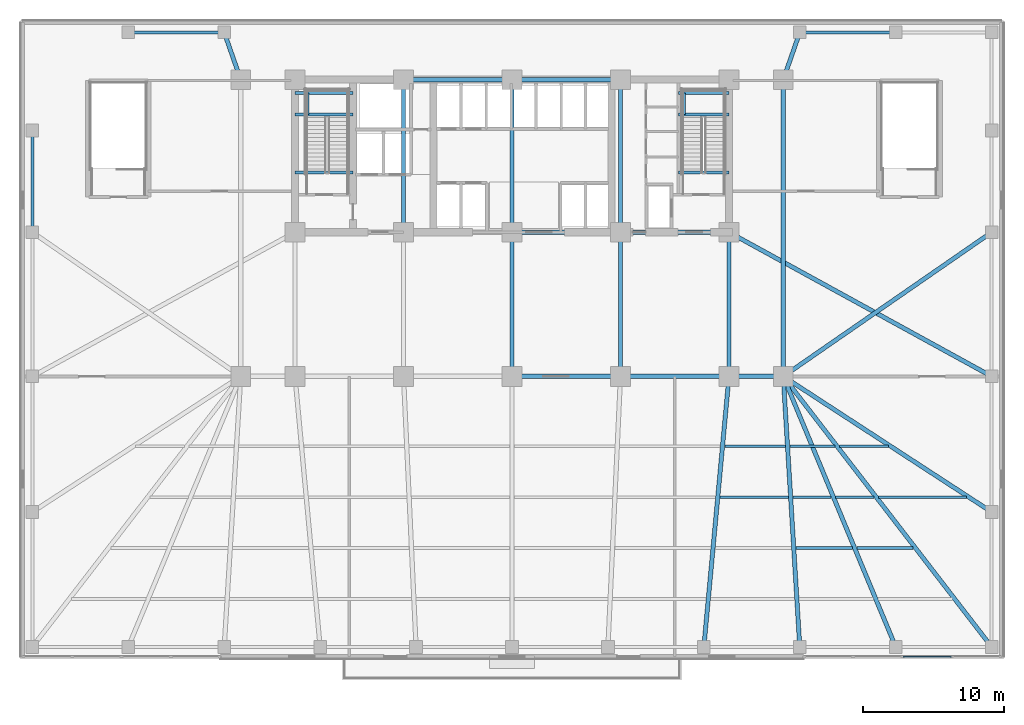
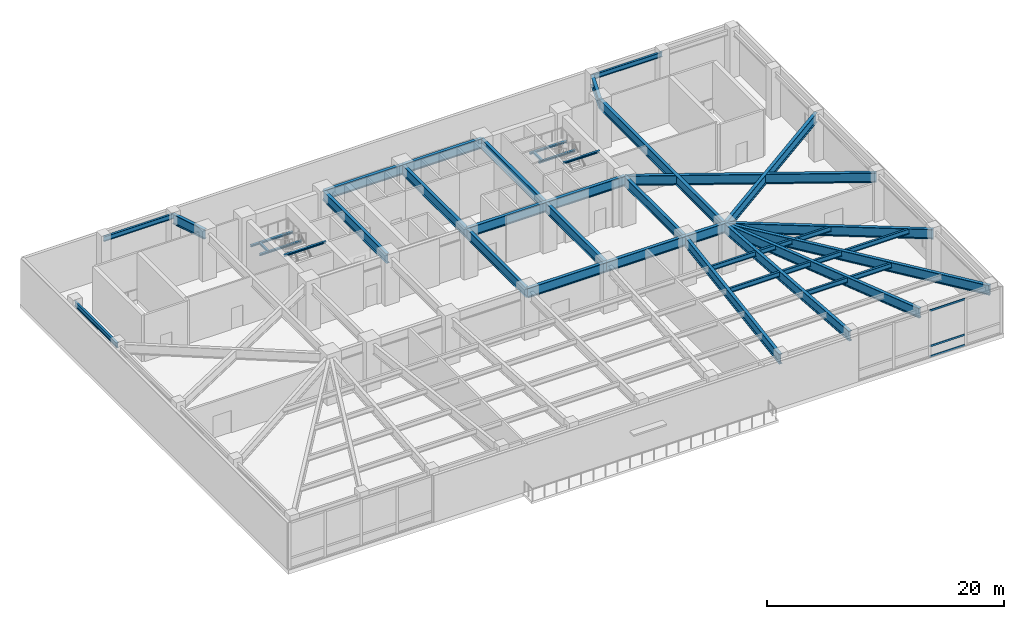
# One storey, part 5 of 15: 43 beams, 3 members, 1 element without a shape of its own.
"""IFC4 building model written with IfcOpenShell, lengths in metres."""

from ifc_helpers import new_model, si_unit, direction, frame, origin, origin_2d, place, context, subcontext, project, spatial, hollow_rectangle, i_section, extrude, material, material_profile, profile_set, type_object, element, aggregate, save


model = new_model("IFC4")

# Units and contexts
model_context = context("Model", 3, precision=1e-05, world=origin(), true_north=direction((0.0, 1.0)))
body_context = subcontext(model_context, "Body", "Model", "MODEL_VIEW")
ifc_project = project(units=[si_unit("LENGTHUNIT", "METRE"), si_unit("AREAUNIT", "SQUARE_METRE"), si_unit("VOLUMEUNIT", "CUBIC_METRE"), si_unit("PLANEANGLEUNIT", "RADIAN"), si_unit("MASSUNIT", "GRAM", prefix="KILO")], contexts=[model_context])

# Site, building, storey
site_placement = place(None, origin())
site = spatial("IfcSite", under=ifc_project, at=site_placement, CompositionType="ELEMENT")
building_placement = place(site_placement, origin())
building = spatial("IfcBuilding", under=site, at=building_placement, Name="Yelkora Congress Tower", CompositionType="ELEMENT")
storey_placement = place(building_placement, frame((0.0, 0.0, 25.199951171875)))
storey = spatial("IfcBuildingStorey", under=building, at=storey_placement, Name="L05", CompositionType="ELEMENT", Elevation=25.199951171875)

# Beams
ifc_material_1 = material(Name="Steel S355J2", Category="steel")
ifc_material_profile_1 = material_profile(ifc_material_1, i_section(OverallWidth=0.199951171875, OverallDepth=0.5, WebThickness=0.01025390625, FlangeThickness=0.01611328125, FilletRadius=0.02099609375, at=origin_2d()), Name="IPE 500")
ifc_profile_set_1 = profile_set([ifc_material_profile_1], Name="Steel S355J2")
beam_type_1 = type_object("IfcBeamType", Name="BM-JOIST-IPE500", PredefinedType="JOIST", material=ifc_profile_set_1)
for number, where, z_axis, x_axis, name in (
    (1, (58.502197265625, 13.050048828125, 4.530029296875), (1.0, 0.0, 0.0), (0.0, 1.0, 0.0), "L05 Composite Floor Joist 19"),
    (2, (62.810302734375, 13.050048828125, 4.530029296875), (1.0, 0.0, 0.0), (0.0, 1.0, 0.0), "L05 Composite Floor Joist 20"),
):
    element("IfcBeam", number, at=place(storey_placement, frame(where, z_axis=z_axis, x_axis=x_axis)), inside=storey, type_object=beam_type_1, Name=name, PredefinedType="JOIST", context=body_context, shape_type="SweptSolid", body=[
        extrude(i_section(OverallWidth=0.199951171875, OverallDepth=0.5, WebThickness=0.01025390625, FlangeThickness=0.01611328125, FilletRadius=0.02099609375, at=origin_2d()), origin(), (0.0, 0.0, 1.0), 3.988037109375),
    ])
beam_1_placement = place(storey_placement, frame((53.125244140625, 16.64990234375, 4.530029296875), z_axis=(1.0, 0.0, 0.0), x_axis=(0.0, 1.0, 0.0)))
element("IfcBeam", 3, at=beam_1_placement, inside=storey, type_object=beam_type_1, Name="L05 Composite Floor Joist 28", PredefinedType="JOIST", context=body_context, shape_type="SweptSolid", body=[
    extrude(i_section(OverallWidth=0.199951171875, OverallDepth=0.5, WebThickness=0.01025390625, FlangeThickness=0.01611328125, FilletRadius=0.02099609375, at=origin_2d()), origin(), (0.0, 0.0, 1.0), 4.837158203125),
])
for number, where, z_axis, x_axis, name in (
    (4, (58.282470703125, 16.64990234375, 4.530029296875), (1.0, 0.0, 0.0), (0.0, 1.0, 0.0), "L05 Composite Floor Joist 29"),
    (5, (61.31396484375, 16.64990234375, 4.530029296875), (1.0, 0.0, 0.0), (0.0, 1.0, 0.0), "L05 Composite Floor Joist 30"),
):
    element("IfcBeam", number, at=place(storey_placement, frame(where, z_axis=z_axis, x_axis=x_axis)), inside=storey, type_object=beam_type_1, Name=name, PredefinedType="JOIST", context=body_context, shape_type="SweptSolid", body=[
        extrude(i_section(OverallWidth=0.199951171875, OverallDepth=0.5, WebThickness=0.01025390625, FlangeThickness=0.01611328125, FilletRadius=0.02099609375, at=origin_2d()), origin(), (0.0, 0.0, 1.0), 2.71142578125),
    ])
beam_2_placement = place(storey_placement, frame((64.345458984375, 16.64990234375, 4.530029296875), z_axis=(1.0, 0.0, 0.0), x_axis=(0.0, 1.0, 0.0)))
element("IfcBeam", 6, at=beam_2_placement, inside=storey, type_object=beam_type_1, Name="L05 Composite Floor Joist 31", PredefinedType="JOIST", context=body_context, shape_type="SweptSolid", body=[
    extrude(i_section(OverallWidth=0.199951171875, OverallDepth=0.5, WebThickness=0.01025390625, FlangeThickness=0.01611328125, FilletRadius=0.02099609375, at=origin_2d()), origin(), (0.0, 0.0, 1.0), 6.231201171875),
])
beam_3_placement = place(storey_placement, frame((53.4599609375, 20.25, 4.530029296875), z_axis=(1.0, 0.0, 0.0), x_axis=(0.0, 1.0, 0.0)))
element("IfcBeam", 7, at=beam_3_placement, inside=storey, type_object=beam_type_1, Name="L05 Composite Floor Joist 39", PredefinedType="JOIST", context=body_context, shape_type="SweptSolid", body=[
    extrude(i_section(OverallWidth=0.199951171875, OverallDepth=0.5, WebThickness=0.01025390625, FlangeThickness=0.01611328125, FilletRadius=0.02099609375, at=origin_2d()), origin(), (0.0, 0.0, 1.0), 4.282470703125),
])
beam_4_placement = place(storey_placement, frame((58.0625, 20.25, 4.530029296875), z_axis=(1.0, 0.0, 0.0), x_axis=(0.0, 1.0, 0.0)))
element("IfcBeam", 8, at=beam_4_placement, inside=storey, type_object=beam_type_1, Name="L05 Composite Floor Joist 40", PredefinedType="JOIST", context=body_context, shape_type="SweptSolid", body=[
    extrude(i_section(OverallWidth=0.199951171875, OverallDepth=0.5, WebThickness=0.01025390625, FlangeThickness=0.01611328125, FilletRadius=0.02099609375, at=origin_2d()), origin(), (0.0, 0.0, 1.0), 3.190185546875),
])
beam_5_placement = place(storey_placement, frame((61.57275390625, 20.25, 4.530029296875), z_axis=(1.0, 0.0, 0.0), x_axis=(0.0, 1.0, 0.0)))
element("IfcBeam", 9, at=beam_5_placement, inside=storey, type_object=beam_type_1, Name="L05 Composite Floor Joist 41", PredefinedType="JOIST", context=body_context, shape_type="SweptSolid", body=[
    extrude(i_section(OverallWidth=0.199951171875, OverallDepth=0.5, WebThickness=0.01025390625, FlangeThickness=0.01611328125, FilletRadius=0.02099609375, at=origin_2d()), origin(), (0.0, 0.0, 1.0), 3.47265625),
])
ifc_material_profile_2 = material_profile(ifc_material_1, i_section(OverallWidth=0.199951171875, OverallDepth=0.18994140625, WebThickness=0.006591796875, FlangeThickness=0.010009765625, FilletRadius=0.01806640625, at=origin_2d()), Name="HEA 200")
ifc_profile_set_2 = profile_set([ifc_material_profile_2], Name="Steel S355J2")
beam_type_2 = type_object("IfcBeamType", Name="BM-LAND-HEA200", PredefinedType="BEAM", material=ifc_profile_set_2)
for number, where, z_axis, x_axis, name in (
    (10, (23.0400390625, 43.739990234375, 2.28466796875), (1.0, 0.0, 0.0), (0.0, 1.0, 0.0), "ST-01 L05 Landing Header Beam 1S"),
    (11, (23.0400390625, 45.25, 2.28466796875), (1.0, 0.0, 0.0), (0.0, 1.0, 0.0), "ST-01 L05 Landing Header Beam 1N"),
):
    element("IfcBeam", number, at=place(storey_placement, frame(where, z_axis=z_axis, x_axis=x_axis)), inside=storey, type_object=beam_type_2, Name=name, PredefinedType="BEAM", context=body_context, shape_type="SweptSolid", body=[
        extrude(i_section(OverallWidth=0.199951171875, OverallDepth=0.18994140625, WebThickness=0.006591796875, FlangeThickness=0.010009765625, FilletRadius=0.01806640625, at=origin_2d()), origin(), (0.0, 0.0, 1.0), 4.10986328125),
    ])
beam_6_placement = place(storey_placement, frame((23.93994140625, 43.739990234375, 2.28466796875), z_axis=(0.0, 1.0, 0.0), x_axis=(-1.0, 0.0, 0.0)))
element("IfcBeam", 12, at=beam_6_placement, inside=storey, type_object=beam_type_2, Name="ST-01 L05 Landing Trimmer Beam 1M", PredefinedType="BEAM", context=body_context, shape_type="SweptSolid", body=[
    extrude(i_section(OverallWidth=0.199951171875, OverallDepth=0.18994140625, WebThickness=0.006591796875, FlangeThickness=0.010009765625, FilletRadius=0.01806640625, at=origin_2d()), origin(), (0.0, 0.0, 1.0), 1.510009765625),
])
beam_7_placement = place(storey_placement, frame((23.0400390625, 39.639892578125, 4.6845703125), z_axis=(1.0, 0.0, 0.0), x_axis=(0.0, 1.0, 0.0)))
element("IfcBeam", 13, at=beam_7_placement, inside=storey, type_object=beam_type_2, Name="ST-01 L05 Floor Arrival Stringer Header Beam", PredefinedType="BEAM", context=body_context, shape_type="SweptSolid", body=[
    extrude(i_section(OverallWidth=0.199951171875, OverallDepth=0.18994140625, WebThickness=0.006591796875, FlangeThickness=0.010009765625, FilletRadius=0.01806640625, at=origin_2d()), origin(), (0.0, 0.0, 1.0), 4.10986328125),
])
for number, where, z_axis, x_axis, name in (
    (14, (50.179931640625, 43.739990234375, 2.28466796875), (1.0, 0.0, 0.0), (0.0, 1.0, 0.0), "ST-02 L05 Landing Header Beam 1S"),
    (15, (50.179931640625, 45.25, 2.28466796875), (1.0, 0.0, 0.0), (0.0, 1.0, 0.0), "ST-02 L05 Landing Header Beam 1N"),
):
    element("IfcBeam", number, at=place(storey_placement, frame(where, z_axis=z_axis, x_axis=x_axis)), inside=storey, type_object=beam_type_2, Name=name, PredefinedType="BEAM", context=body_context, shape_type="SweptSolid", body=[
        extrude(i_section(OverallWidth=0.199951171875, OverallDepth=0.18994140625, WebThickness=0.006591796875, FlangeThickness=0.010009765625, FilletRadius=0.01806640625, at=origin_2d()), origin(), (0.0, 0.0, 1.0), 3.580078125),
    ])
beam_8_placement = place(storey_placement, frame((50.580078125, 43.739990234375, 2.28466796875), z_axis=(0.0, 1.0, 0.0), x_axis=(-1.0, 0.0, 0.0)))
element("IfcBeam", 16, at=beam_8_placement, inside=storey, type_object=beam_type_2, Name="ST-02 L05 Landing Trimmer Beam 1M", PredefinedType="BEAM", context=body_context, shape_type="SweptSolid", body=[
    extrude(i_section(OverallWidth=0.199951171875, OverallDepth=0.18994140625, WebThickness=0.006591796875, FlangeThickness=0.010009765625, FilletRadius=0.01806640625, at=origin_2d()), origin(), (0.0, 0.0, 1.0), 1.510009765625),
])
beam_9_placement = place(storey_placement, frame((50.179931640625, 39.639892578125, 4.6845703125), z_axis=(1.0, 0.0, 0.0), x_axis=(0.0, 1.0, 0.0)))
element("IfcBeam", 17, at=beam_9_placement, inside=storey, type_object=beam_type_2, Name="ST-02 L05 Floor Arrival Stringer Header Beam", PredefinedType="BEAM", context=body_context, shape_type="SweptSolid", body=[
    extrude(i_section(OverallWidth=0.199951171875, OverallDepth=0.18994140625, WebThickness=0.006591796875, FlangeThickness=0.010009765625, FilletRadius=0.01806640625, at=origin_2d()), origin(), (0.0, 0.0, 1.0), 3.580078125),
])
ifc_material_profile_3 = material_profile(ifc_material_1, i_section(OverallWidth=0.199951171875, OverallDepth=0.5, WebThickness=0.01025390625, FlangeThickness=0.01611328125, FilletRadius=0.02099609375, at=origin_2d()), Name="IPE 500")
ifc_profile_set_3 = profile_set([ifc_material_profile_3], Name="Steel S355J2")
beam_type_3 = type_object("IfcBeamType", Name="BM-SPAN-IPE500", PredefinedType="SPANDREL", material=ifc_profile_set_3)
for number, where, z_axis, x_axis, name in (
    (18, (65.56005859375, 49.550048828125, 4.530029296875), (-1.0, 0.0, 0.0), (0.0, -1.0, 0.0), "L05 Perimeter Beam 18"),
    (19, (18.030029296875, 49.550048828125, 4.530029296875), (-1.0, 0.0, 0.0), (0.0, -1.0, 0.0), "L05 Perimeter Beam 20"),
):
    element("IfcBeam", number, at=place(storey_placement, frame(where, z_axis=z_axis, x_axis=x_axis)), inside=storey, type_object=beam_type_3, Name=name, PredefinedType="SPANDREL", context=body_context, shape_type="SweptSolid", body=[
        extrude(i_section(OverallWidth=0.199951171875, OverallDepth=0.5, WebThickness=0.01025390625, FlangeThickness=0.01611328125, FilletRadius=0.02099609375, at=origin_2d()), origin(), (0.0, 0.0, 1.0), 6.7900390625),
    ])
beam_10_placement = place(storey_placement, frame((4.449951171875, 42.60009765625, 4.530029296875), z_axis=(0.0, -1.0, 0.0), x_axis=(1.0, 0.0, 0.0)))
element("IfcBeam", 20, at=beam_10_placement, inside=storey, type_object=beam_type_3, Name="L05 Perimeter Beam 22", PredefinedType="SPANDREL", context=body_context, shape_type="SweptSolid", body=[
    extrude(i_section(OverallWidth=0.199951171875, OverallDepth=0.5, WebThickness=0.01025390625, FlangeThickness=0.01611328125, FilletRadius=0.02099609375, at=origin_2d()), origin(), (0.0, 0.0, 1.0), 7.2001953125),
])
ifc_material_2 = material(Name="Steel S460M", Category="steel")
ifc_material_profile_4 = material_profile(ifc_material_2, i_section(OverallWidth=0.302001953125, OverallDepth=1.008056640625, WebThickness=0.02099609375, FlangeThickness=0.0400390625, FilletRadius=0.030029296875, at=origin_2d()), Name="HEM 1000")
ifc_profile_set_4 = profile_set([ifc_material_profile_4], Name="Steel S460M")
beam_type_4 = type_object("IfcBeamType", Name="BM-XFER-HEM1000", PredefinedType="BEAM", material=ifc_profile_set_4)
beam_11_placement = place(storey_placement, frame((38.39990234375, 25.199951171875, 4.276123046875), z_axis=(1.0, 0.0, 0.0), x_axis=(0.0, 1.0, 0.0)))
element("IfcBeam", 21, at=beam_11_placement, inside=storey, type_object=beam_type_4, Name="L05 Spine Grid D Girder 4", PredefinedType="BEAM", context=body_context, shape_type="SweptSolid", body=[
    extrude(i_section(OverallWidth=0.302001953125, OverallDepth=1.008056640625, WebThickness=0.02099609375, FlangeThickness=0.0400390625, FilletRadius=0.030029296875, at=origin_2d()), origin(), (0.0, 0.0, 1.0), 7.68017578125),
])
beam_12_placement = place(storey_placement, frame((46.080078125, 25.199951171875, 4.276123046875), z_axis=(1.0, 0.0, 0.0), x_axis=(0.0, 1.0, 0.0)))
element("IfcBeam", 22, at=beam_12_placement, inside=storey, type_object=beam_type_4, Name="L05 Spine Grid D Girder 5", PredefinedType="BEAM", context=body_context, shape_type="SweptSolid", body=[
    extrude(i_section(OverallWidth=0.302001953125, OverallDepth=1.008056640625, WebThickness=0.02099609375, FlangeThickness=0.0400390625, FilletRadius=0.030029296875, at=origin_2d()), origin(), (0.0, 0.0, 1.0), 7.679931640625),
])
beam_13_placement = place(storey_placement, frame((53.760009765625, 25.199951171875, 4.276123046875), z_axis=(1.0, 0.0, 0.0), x_axis=(0.0, 1.0, 0.0)))
element("IfcBeam", 23, at=beam_13_placement, inside=storey, type_object=beam_type_4, Name="L05 Spine Grid D Girder 6", PredefinedType="BEAM", context=body_context, shape_type="SweptSolid", body=[
    extrude(i_section(OverallWidth=0.302001953125, OverallDepth=1.008056640625, WebThickness=0.02099609375, FlangeThickness=0.0400390625, FilletRadius=0.030029296875, at=origin_2d()), origin(), (0.0, 0.0, 1.0), 3.840087890625),
])
beam_14_placement = place(storey_placement, frame((30.719970703125, 46.199951171875, 4.276123046875), z_axis=(1.0, 0.0, 0.0), x_axis=(0.0, 1.0, 0.0)))
element("IfcBeam", 24, at=beam_14_placement, inside=storey, type_object=beam_type_4, Name="L05 Core North Girder 3", PredefinedType="BEAM", context=body_context, shape_type="SweptSolid", body=[
    extrude(i_section(OverallWidth=0.302001953125, OverallDepth=1.008056640625, WebThickness=0.02099609375, FlangeThickness=0.0400390625, FilletRadius=0.030029296875, at=origin_2d()), origin(), (0.0, 0.0, 1.0), 7.679931640625),
])
for number, where, z_axis, x_axis, name in (
    (25, (38.39990234375, 46.199951171875, 4.276123046875), (1.0, 0.0, 0.0), (0.0, 1.0, 0.0), "L05 Core North Girder 4"),
    (26, (38.39990234375, 35.39990234375, 4.276123046875), (1.0, 0.0, 0.0), (0.0, 1.0, 0.0), "L05 Core South Girder 3"),
):
    element("IfcBeam", number, at=place(storey_placement, frame(where, z_axis=z_axis, x_axis=x_axis)), inside=storey, type_object=beam_type_4, Name=name, PredefinedType="BEAM", context=body_context, shape_type="SweptSolid", body=[
        extrude(i_section(OverallWidth=0.302001953125, OverallDepth=1.008056640625, WebThickness=0.02099609375, FlangeThickness=0.0400390625, FilletRadius=0.030029296875, at=origin_2d()), origin(), (0.0, 0.0, 1.0), 7.68017578125),
    ])
beam_15_placement = place(storey_placement, frame((46.080078125, 35.39990234375, 4.276123046875), z_axis=(1.0, 0.0, 0.0), x_axis=(0.0, 1.0, 0.0)))
element("IfcBeam", 27, at=beam_15_placement, inside=storey, type_object=beam_type_4, Name="L05 Core South Girder 4", PredefinedType="BEAM", context=body_context, shape_type="SweptSolid", body=[
    extrude(i_section(OverallWidth=0.302001953125, OverallDepth=1.008056640625, WebThickness=0.02099609375, FlangeThickness=0.0400390625, FilletRadius=0.030029296875, at=origin_2d()), origin(), (0.0, 0.0, 1.0), 7.679931640625),
])
beam_16_placement = place(storey_placement, frame((30.719970703125, 35.39990234375, 4.276123046875), z_axis=(0.0, 1.0, 0.0), x_axis=(-1.0, 0.0, 0.0)))
element("IfcBeam", 28, at=beam_16_placement, inside=storey, type_object=beam_type_4, Name="L05 Core Tie Girder MC-S2", PredefinedType="BEAM", context=body_context, shape_type="SweptSolid", body=[
    extrude(i_section(OverallWidth=0.302001953125, OverallDepth=1.008056640625, WebThickness=0.02099609375, FlangeThickness=0.0400390625, FilletRadius=0.030029296875, at=origin_2d()), origin(), (0.0, 0.0, 1.0), 10.800048828125),
])
beam_17_placement = place(storey_placement, frame((38.39990234375, 25.199951171875, 4.276123046875), z_axis=(0.0, 1.0, 0.0), x_axis=(-1.0, 0.0, 0.0)))
element("IfcBeam", 29, at=beam_17_placement, inside=storey, type_object=beam_type_4, Name="L05 Core Tie Girder MC-D3", PredefinedType="BEAM", context=body_context, shape_type="SweptSolid", body=[
    extrude(i_section(OverallWidth=0.302001953125, OverallDepth=1.008056640625, WebThickness=0.02099609375, FlangeThickness=0.0400390625, FilletRadius=0.030029296875, at=origin_2d()), origin(), (0.0, 0.0, 1.0), 10.199951171875),
])
beam_18_placement = place(storey_placement, frame((38.39990234375, 35.39990234375, 4.276123046875), z_axis=(0.0, 1.0, 0.0), x_axis=(-1.0, 0.0, 0.0)))
element("IfcBeam", 30, at=beam_18_placement, inside=storey, type_object=beam_type_4, Name="L05 Core Tie Girder MC-S3", PredefinedType="BEAM", context=body_context, shape_type="SweptSolid", body=[
    extrude(i_section(OverallWidth=0.302001953125, OverallDepth=1.008056640625, WebThickness=0.02099609375, FlangeThickness=0.0400390625, FilletRadius=0.030029296875, at=origin_2d()), origin(), (0.0, 0.0, 1.0), 10.800048828125),
])
beam_19_placement = place(storey_placement, frame((46.080078125, 25.199951171875, 4.276123046875), z_axis=(0.0, 1.0, 0.0), x_axis=(-1.0, 0.0, 0.0)))
element("IfcBeam", 31, at=beam_19_placement, inside=storey, type_object=beam_type_4, Name="L05 Core Tie Girder MC-D4", PredefinedType="BEAM", context=body_context, shape_type="SweptSolid", body=[
    extrude(i_section(OverallWidth=0.302001953125, OverallDepth=1.008056640625, WebThickness=0.02099609375, FlangeThickness=0.0400390625, FilletRadius=0.030029296875, at=origin_2d()), origin(), (0.0, 0.0, 1.0), 10.199951171875),
])
beam_20_placement = place(storey_placement, frame((46.080078125, 35.39990234375, 4.276123046875), z_axis=(0.0, 1.0, 0.0), x_axis=(-1.0, 0.0, 0.0)))
element("IfcBeam", 32, at=beam_20_placement, inside=storey, type_object=beam_type_4, Name="L05 Core Tie Girder MC-S4", PredefinedType="BEAM", context=body_context, shape_type="SweptSolid", body=[
    extrude(i_section(OverallWidth=0.302001953125, OverallDepth=1.008056640625, WebThickness=0.02099609375, FlangeThickness=0.0400390625, FilletRadius=0.030029296875, at=origin_2d()), origin(), (0.0, 0.0, 1.0), 10.800048828125),
])
beam_21_placement = place(storey_placement, frame((53.760009765625, 25.199951171875, 4.276123046875), z_axis=(0.0, 1.0, 0.0), x_axis=(-1.0, 0.0, 0.0)))
element("IfcBeam", 33, at=beam_21_placement, inside=storey, type_object=beam_type_4, Name="L05 Core Tie Girder MC-D5", PredefinedType="BEAM", context=body_context, shape_type="SweptSolid", body=[
    extrude(i_section(OverallWidth=0.302001953125, OverallDepth=1.008056640625, WebThickness=0.02099609375, FlangeThickness=0.0400390625, FilletRadius=0.030029296875, at=origin_2d()), origin(), (0.0, 0.0, 1.0), 10.199951171875),
])
beam_22_placement = place(storey_placement, frame((57.60009765625, 25.199951171875, 4.276123046875), z_axis=(0.0, 1.0, 0.0), x_axis=(-1.0, 0.0, 0.0)))
element("IfcBeam", 34, at=beam_22_placement, inside=storey, type_object=beam_type_4, Name="L05 Neck Flank Girder MC-F2", PredefinedType="BEAM", context=body_context, shape_type="SweptSolid", body=[
    extrude(i_section(OverallWidth=0.302001953125, OverallDepth=1.008056640625, WebThickness=0.02099609375, FlangeThickness=0.0400390625, FilletRadius=0.030029296875, at=origin_2d()), origin(), (0.0, 0.0, 1.0), 21.0),
])
beam_23_placement = place(storey_placement, frame((18.030029296875, 49.550048828125, 4.276123046875), z_axis=(0.329694513381, -0.944087669577, 0.0), x_axis=(0.944087669577, 0.329694513381, 0.0)))
element("IfcBeam", 35, at=beam_23_placement, inside=storey, type_object=beam_type_4, Name="L05 Primary Frame Girder PN03", PredefinedType="BEAM", context=body_context, shape_type="SweptSolid", body=[
    extrude(i_section(OverallWidth=0.302001953125, OverallDepth=1.008056640625, WebThickness=0.02099609375, FlangeThickness=0.0400390625, FilletRadius=0.030029296875, at=origin_2d()), origin(), (0.0, 0.0, 1.0), 3.548583984375),
])
beam_24_placement = place(storey_placement, frame((51.97998046875, 6.050048828125, 4.276123046875), z_axis=(0.092553417869, 0.995707720589, 0.0), x_axis=(-0.995707720589, 0.092553417869, 0.0)))
element("IfcBeam", 36, at=beam_24_placement, inside=storey, type_object=beam_type_4, Name="L05 Primary Frame Girder PS08", PredefinedType="BEAM", context=body_context, shape_type="SweptSolid", body=[
    extrude(i_section(OverallWidth=0.302001953125, OverallDepth=1.008056640625, WebThickness=0.02099609375, FlangeThickness=0.0400390625, FilletRadius=0.030029296875, at=origin_2d()), origin(), (0.0, 0.0, 1.0), 19.232421875),
])
beam_25_placement = place(storey_placement, frame((58.77001953125, 6.050048828125, 4.276123046875), z_axis=(-0.060979146345, 0.99813904027, 0.0), x_axis=(-0.99813904027, -0.060979146345, 0.0)))
element("IfcBeam", 37, at=beam_25_placement, inside=storey, type_object=beam_type_4, Name="L05 Primary Frame Girder PS09", PredefinedType="BEAM", context=body_context, shape_type="SweptSolid", body=[
    extrude(i_section(OverallWidth=0.302001953125, OverallDepth=1.008056640625, WebThickness=0.02099609375, FlangeThickness=0.0400390625, FilletRadius=0.030029296875, at=origin_2d()), origin(), (0.0, 0.0, 1.0), 19.185546875),
])
beam_26_placement = place(storey_placement, frame((58.77001953125, 49.550048828125, 4.276123046875), z_axis=(-0.329694513381, -0.944087669577, 0.0), x_axis=(0.944087669577, -0.329694513381, 0.0)))
element("IfcBeam", 38, at=beam_26_placement, inside=storey, type_object=beam_type_4, Name="L05 Primary Frame Girder PN09", PredefinedType="BEAM", context=body_context, shape_type="SweptSolid", body=[
    extrude(i_section(OverallWidth=0.302001953125, OverallDepth=1.008056640625, WebThickness=0.02099609375, FlangeThickness=0.0400390625, FilletRadius=0.030029296875, at=origin_2d()), origin(), (0.0, 0.0, 1.0), 3.548583984375),
])
beam_27_placement = place(storey_placement, frame((65.56005859375, 6.050048828125, 4.276123046875), z_axis=(-0.383827816401, 0.923404682334, 0.0), x_axis=(-0.923404682334, -0.383827816401, 0.0)))
element("IfcBeam", 39, at=beam_27_placement, inside=storey, type_object=beam_type_4, Name="L05 Primary Frame Girder PS10", PredefinedType="BEAM", context=body_context, shape_type="SweptSolid", body=[
    extrude(i_section(OverallWidth=0.302001953125, OverallDepth=1.008056640625, WebThickness=0.02099609375, FlangeThickness=0.0400390625, FilletRadius=0.030029296875, at=origin_2d()), origin(), (0.0, 0.0, 1.0), 20.73828125),
])
beam_28_placement = place(storey_placement, frame((72.35009765625, 6.050048828125, 4.276123046875), z_axis=(-0.610212418574, 0.792237845737, 0.0), x_axis=(-0.792237845737, -0.610212418574, 0.0)))
element("IfcBeam", 40, at=beam_28_placement, inside=storey, type_object=beam_type_4, Name="L05 Primary Frame Girder PS11", PredefinedType="BEAM", context=body_context, shape_type="SweptSolid", body=[
    extrude(i_section(OverallWidth=0.302001953125, OverallDepth=1.008056640625, WebThickness=0.02099609375, FlangeThickness=0.0400390625, FilletRadius=0.030029296875, at=origin_2d()), origin(), (0.0, 0.0, 1.0), 24.171875),
])
beam_29_placement = place(storey_placement, frame((72.35009765625, 15.60009765625, 4.276123046875), z_axis=(-0.83812272066, 0.545481718404, 0.0), x_axis=(-0.545481718404, -0.83812272066, 0.0)))
element("IfcBeam", 41, at=beam_29_placement, inside=storey, type_object=beam_type_4, Name="L05 Primary Frame Girder PE1", PredefinedType="BEAM", context=body_context, shape_type="SweptSolid", body=[
    extrude(i_section(OverallWidth=0.302001953125, OverallDepth=1.008056640625, WebThickness=0.02099609375, FlangeThickness=0.0400390625, FilletRadius=0.030029296875, at=origin_2d()), origin(), (0.0, 0.0, 1.0), 17.598876953125),
])
beam_30_placement = place(storey_placement, frame((72.35009765625, 25.199951171875, 4.276123046875), z_axis=(-0.876705282536, 0.48102790727, 0.0), x_axis=(-0.48102790727, -0.876705282536, 0.0)))
element("IfcBeam", 42, at=beam_30_placement, inside=storey, type_object=beam_type_4, Name="L05 Primary Frame Girder PE2", PredefinedType="BEAM", context=body_context, shape_type="SweptSolid", body=[
    extrude(i_section(OverallWidth=0.302001953125, OverallDepth=1.008056640625, WebThickness=0.02099609375, FlangeThickness=0.0400390625, FilletRadius=0.030029296875, at=origin_2d()), origin(), (0.0, 0.0, 1.0), 21.20458984375),
])
beam_31_placement = place(storey_placement, frame((72.35009765625, 35.39990234375, 4.276123046875), z_axis=(-0.822494466498, -0.568773111689, 0.0), x_axis=(0.568773111689, -0.822494466498, 0.0)))
element("IfcBeam", 43, at=beam_31_placement, inside=storey, type_object=beam_type_4, Name="L05 Primary Frame Girder PE3", PredefinedType="BEAM", context=body_context, shape_type="SweptSolid", body=[
    extrude(i_section(OverallWidth=0.302001953125, OverallDepth=1.008056640625, WebThickness=0.02099609375, FlangeThickness=0.0400390625, FilletRadius=0.030029296875, at=origin_2d()), origin(), (0.0, 0.0, 1.0), 17.933349609375),
])

# Curtain wall, members
ifc_material_3 = material(Name="Anodised aluminium and insulated glass", Category="aluminium")
curtain_wall_type = type_object("IfcCurtainWallType", Name="CW-SYS-POD", PredefinedType="NOTDEFINED", material=ifc_material_3)
curtain_wall_placement = place(storey_placement, origin())
curtain_wall = element("IfcCurtainWall", 44, at=curtain_wall_placement, inside=storey, type_object=curtain_wall_type, Name="L05 Podium Curtain Wall East", PredefinedType="NOTDEFINED")
ifc_material_4 = material(Name="Anodised aluminium 6063-T6", Category="aluminium")
ifc_material_profile_5 = material_profile(ifc_material_4, hollow_rectangle(XDim=0.070068359375, YDim=0.18994140625, WallThickness=0.00390625, at=origin_2d()), Name="ALU 70x190x4")
ifc_profile_set_5 = profile_set([ifc_material_profile_5], Name="Anodised aluminium 6063-T6")
member_type = type_object("IfcMemberType", Name="MEM-TR-POD", PredefinedType="USERDEFINED", material=ifc_profile_set_5)
member_1_placement = place(storey_placement, frame((66.077392578125, 5.360107421875, 0.03515625), z_axis=(1.0, 0.0, 0.0), x_axis=(0.0, 1.0, 0.0)))
member_1 = element("IfcMember", 45, at=member_1_placement, type_object=member_type, Name="CW-POD transom 3.1", ObjectType="TRANSOM", PredefinedType="USERDEFINED", context=body_context, shape_type="SweptSolid", body=[
    extrude(hollow_rectangle(XDim=0.070068359375, YDim=0.18994140625, WallThickness=0.00390625, at=origin_2d()), origin(), (0.0, 0.0, 1.0), 3.425048828125),
])
member_2_placement = place(storey_placement, frame((66.077392578125, 5.360107421875, 1.10009765625), z_axis=(1.0, 0.0, 0.0), x_axis=(0.0, 1.0, 0.0)))
member_2 = element("IfcMember", 46, at=member_2_placement, type_object=member_type, Name="CW-POD transom 3.2", ObjectType="TRANSOM", PredefinedType="USERDEFINED", context=body_context, shape_type="SweptSolid", body=[
    extrude(hollow_rectangle(XDim=0.070068359375, YDim=0.18994140625, WallThickness=0.00390625, at=origin_2d()), origin(), (0.0, 0.0, 1.0), 3.425048828125),
])
member_3_placement = place(storey_placement, frame((66.077392578125, 5.360107421875, 4.7451171875), z_axis=(1.0, 0.0, 0.0), x_axis=(0.0, 1.0, 0.0)))
member_3 = element("IfcMember", 47, at=member_3_placement, type_object=member_type, Name="CW-POD transom 3.3", ObjectType="TRANSOM", PredefinedType="USERDEFINED", context=body_context, shape_type="SweptSolid", body=[
    extrude(hollow_rectangle(XDim=0.070068359375, YDim=0.18994140625, WallThickness=0.00390625, at=origin_2d()), origin(), (0.0, 0.0, 1.0), 3.425048828125),
])
aggregate(curtain_wall, [member_1, member_2, member_3])

save(model, "model.ifc")
